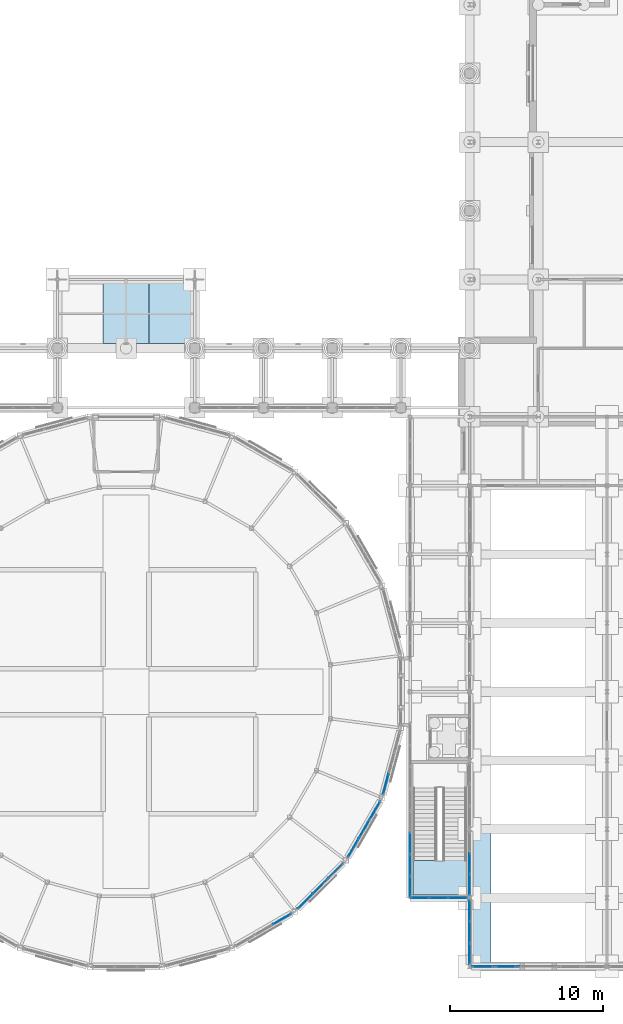
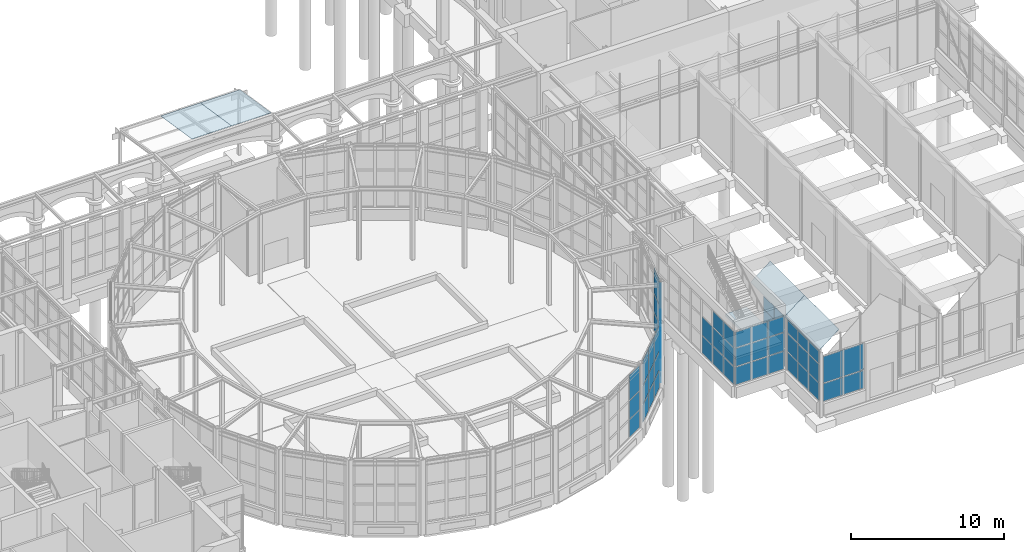
# One storey, part 61 of 106: 64 plates, 1 slab, 10 elements without a shape of their own.
"""IFC4 building model written with IfcOpenShell, lengths in metres."""

import ifcopenshell
import ifcopenshell.guid

model = None  # the IFC model being written
_history = None  # IfcOwnerHistory: only IFC2X3 demands one
_inside = {}  # id of a spatial element -> (the spatial element, [elements in it])
_under = {}  # id of a project, library or spatial element -> (it, [spatial elements below it])
_declared = {}  # id of a project -> (the project, [libraries it declares])
_typed = {}  # id of a type object -> (the type object, [elements of that type])
_made_of = {}  # id of a material, layer set ... -> (it, [elements and type objects made of it])


def new_model(schema):
    """Start an empty IFC model of exactly this schema.

    Asked for "IFC4X3", IfcOpenShell would pick the latest addendum, in which some entities
    have other attributes; the version numbers below select the first issue.
    IFC2X3 requires an IfcOwnerHistory on every rooted entity: one is made here for all.
    """
    global model, _history
    if schema == "IFC4X3":
        model = ifcopenshell.file(schema_version=(4, 3, 0, 0))
    else:
        model = ifcopenshell.file(schema=schema)
    _inside.clear()
    _under.clear()
    _declared.clear()
    _typed.clear()
    _made_of.clear()
    _history = None
    if model.schema == "IFC2X3":
        org = make("IfcOrganization", Name="unknown")
        user = make(
            "IfcPersonAndOrganization",
            ThePerson=make("IfcPerson", FamilyName="unknown"),
            TheOrganization=org,
        )
        app = make(
            "IfcApplication",
            ApplicationDeveloper=org,
            Version="unknown",
            ApplicationFullName="unknown",
            ApplicationIdentifier="unknown",
        )
        _history = make(
            "IfcOwnerHistory",
            OwningUser=user,
            OwningApplication=app,
            ChangeAction="ADDED",
            CreationDate=0,
        )
    return model


def make(cls, **values):
    """One entity of the class cls with the attributes given. An attribute that is None is left unset."""
    return model.create_entity(
        cls, **{name: value for name, value in values.items() if value is not None}
    )


def rooted(cls, **values):
    """An entity with a GlobalId (a new one), such as an element, a storey or a relation."""
    return make(cls, GlobalId=ifcopenshell.guid.new(), OwnerHistory=_history, **values)


def si_unit(unit_type, name, prefix=None):
    """IfcSIUnit, for example si_unit("LENGTHUNIT", "METRE", prefix="MILLI")."""
    return make("IfcSIUnit", UnitType=unit_type, Prefix=prefix, Name=name)


def assignment(units):
    """IfcUnitAssignment: the units of a project."""
    return None if units is None else make("IfcUnitAssignment", Units=units)


def point(xyz):
    """IfcCartesianPoint."""
    return None if xyz is None else make("IfcCartesianPoint", Coordinates=xyz)


def direction(xyz):
    """IfcDirection."""
    return None if xyz is None else make("IfcDirection", DirectionRatios=xyz)


def frame(location, z_axis=None, x_axis=None):
    """IfcAxis2Placement3D, a coordinate frame: its origin and axes. An axis left out is left unset."""
    return make(
        "IfcAxis2Placement3D",
        Location=point(location),
        Axis=direction(z_axis),
        RefDirection=direction(x_axis),
    )


def frame_2d(location, x_axis=None):
    """IfcAxis2Placement2D, a coordinate frame in the plane: its origin and x axis."""
    return make(
        "IfcAxis2Placement2D", Location=point(location), RefDirection=direction(x_axis)
    )


def origin():
    """The frame at (0, 0, 0) with its axes left unset."""
    return frame((0.0, 0.0, 0.0))


def origin_2d():
    """The frame at (0, 0) in the plane with its x axis left unset."""
    return frame_2d((0.0, 0.0))


def place(relative_to, where):
    """IfcLocalPlacement: puts the frame where relative to a parent placement (None: the world)."""
    return make(
        "IfcLocalPlacement", PlacementRelTo=relative_to, RelativePlacement=where
    )


def context(
    kind, dimensions, precision=None, world=None, true_north=None, identifier=None
):
    """IfcGeometricRepresentationContext, for example the 3D "Model" context."""
    return make(
        "IfcGeometricRepresentationContext",
        ContextIdentifier=identifier,
        ContextType=kind,
        CoordinateSpaceDimension=dimensions,
        Precision=precision,
        WorldCoordinateSystem=world,
        TrueNorth=true_north,
    )


def subcontext(parent, identifier, kind, view, scale=None):
    """IfcGeometricRepresentationSubContext, for example "Body" below "Model"."""
    return make(
        "IfcGeometricRepresentationSubContext",
        ContextIdentifier=identifier,
        ContextType=kind,
        ParentContext=parent,
        TargetScale=scale,
        TargetView=view,
    )


def project(units=None, contexts=None):
    """IfcProject with its units and contexts."""
    return rooted(
        "IfcProject",
        Name="project",
        RepresentationContexts=contexts,
        UnitsInContext=assignment(units),
    )


def spatial(cls, under=None, at=None, **own):
    """A site, building, storey or space (cls), placed at a placement, below another one or the project."""
    s = rooted(cls, ObjectPlacement=at, **own)
    if under is not None:
        _under.setdefault(under.id(), (under, []))[1].append(s)
    return s


def polyline(points):
    """IfcPolyline through the points."""
    return make("IfcPolyline", Points=[point(p) for p in points])


def profile(cls, at=None, kind="AREA", **sizes):
    """A parametric profile (cls). Its sizes go by their IFC names, for example OverallWidth=200.0."""
    return make(cls, ProfileType=kind, Position=at, **sizes)


def rectangle(**sizes):
    """IfcRectangleProfileDef."""
    return profile("IfcRectangleProfileDef", **sizes)


def outline(outer, holes=None, kind="AREA"):
    """IfcArbitraryClosedProfileDef: a profile drawn as a closed curve; with holes, ...WithVoids."""
    if holes is None:
        return make("IfcArbitraryClosedProfileDef", ProfileType=kind, OuterCurve=outer)
    return make(
        "IfcArbitraryProfileDefWithVoids",
        ProfileType=kind,
        OuterCurve=outer,
        InnerCurves=holes,
    )


def extrude(swept, where, along, depth):
    """IfcExtrudedAreaSolid: the profile swept, set in the frame where, extruded along a direction by depth."""
    return make(
        "IfcExtrudedAreaSolid",
        SweptArea=swept,
        Position=where,
        ExtrudedDirection=direction(along),
        Depth=depth,
    )


def shape(context_of_items, identifier, shape_type, items):
    """IfcShapeRepresentation: the items that make up one representation, for example the "Body"."""
    return make(
        "IfcShapeRepresentation",
        ContextOfItems=context_of_items,
        RepresentationIdentifier=identifier,
        RepresentationType=shape_type,
        Items=items,
    )


def material(Name=None, Category=None):
    """IfcMaterial."""
    return make("IfcMaterial", Name=Name, Category=Category)


def layer(
    of_material, thickness, ventilated=None, Name=None, Category=None, Priority=None
):
    """IfcMaterialLayer: one layer of a wall or slab, of a material (None: an air gap)."""
    return make(
        "IfcMaterialLayer",
        Material=of_material,
        LayerThickness=thickness,
        IsVentilated=ventilated,
        Name=Name,
        Category=Category,
        Priority=Priority,
    )


def layer_set(layers, Name=None):
    """IfcMaterialLayerSet."""
    return make("IfcMaterialLayerSet", MaterialLayers=layers, LayerSetName=Name)


def made_of(thing, what):
    """Note that an element or type object is made of a material, layer set ...; save() writes the relation."""
    if what is not None:
        _made_of.setdefault(what.id(), (what, []))[1].append(thing)
    return thing


def type_object(cls, material=None, **own):
    """A type object (cls), such as IfcWallType, which elements share."""
    return made_of(rooted(cls, **own), material)


def element(
    cls,
    number,
    at=None,
    inside=None,
    cuts=None,
    type_object=None,
    material=None,
    context=None,
    identifier="Body",
    shape_type=None,
    held_by="IfcProductDefinitionShape",
    body=None,
    shapes=None,
    **own,
):
    """One element of the class cls, such as IfcWall. Its Tag is "e" and its number.

    at: its placement. inside: the storey or other place that contains it. cuts: it is an
    opening in that element (IfcRelVoidsElement). A single representation is given by context,
    identifier, shape_type and body (its items); several are given by shapes. held_by: the class
    of the entity that holds the representations. save() writes the other relations.
    """
    e = rooted(cls, Tag="e%d" % number, ObjectPlacement=at, **own)
    if body is not None:
        shapes = [shape(context, identifier, shape_type, body)]
    if shapes is not None:
        e.Representation = make(held_by, Representations=shapes)
    if inside is not None:
        _inside.setdefault(inside.id(), (inside, []))[1].append(e)
    if cuts is not None:
        rooted(
            "IfcRelVoidsElement", RelatingBuildingElement=cuts, RelatedOpeningElement=e
        )
    if type_object is not None:
        _typed.setdefault(type_object.id(), (type_object, []))[1].append(e)
    return made_of(e, material)


def aggregate(whole, parts):
    """IfcRelAggregates: a whole, such as a stair, and the parts it consists of."""
    return rooted("IfcRelAggregates", RelatingObject=whole, RelatedObjects=parts)


def save(model, path):
    """Write the relations noted so far, then the file.

    IfcRelAggregates (storeys below a building ...), IfcRelContainedInSpatialStructure (elements
    in a storey), IfcRelDefinesByType, IfcRelAssociatesMaterial and IfcRelDeclares: one each for
    every whole, place, type object, material and project.
    """
    for whole, parts in _under.values():
        aggregate(whole, parts)
    for where, things in _inside.values():
        rooted(
            "IfcRelContainedInSpatialStructure",
            RelatedElements=things,
            RelatingStructure=where,
        )
    for kind, things in _typed.values():
        rooted("IfcRelDefinesByType", RelatedObjects=things, RelatingType=kind)
    for what, things in _made_of.values():
        rooted("IfcRelAssociatesMaterial", RelatedObjects=things, RelatingMaterial=what)
    for by, libraries in _declared.values():
        rooted("IfcRelDeclares", RelatingContext=by, RelatedDefinitions=libraries)
    model.write(path)


model = new_model("IFC4")

# Units and contexts
model_context = context("Model", 3, precision=1e-05, world=origin(), true_north=direction((0.0, 1.0)))
body_context = subcontext(model_context, "Body", "Model", "MODEL_VIEW")
ifc_project = project(units=[si_unit("LENGTHUNIT", "METRE"), si_unit("AREAUNIT", "SQUARE_METRE"), si_unit("VOLUMEUNIT", "CUBIC_METRE"), si_unit("PLANEANGLEUNIT", "RADIAN"), si_unit("MASSUNIT", "GRAM", prefix="KILO")], contexts=[model_context])

# Site, building, storey
site_placement = place(None, origin())
site = spatial("IfcSite", under=ifc_project, at=site_placement, CompositionType="ELEMENT")
building_placement = place(site_placement, origin())
building = spatial("IfcBuilding", under=site, at=building_placement, Name="Hortulan Conservatory and Botanical Research Centre", CompositionType="ELEMENT")
storey_placement = place(building_placement, origin())
storey = spatial("IfcBuildingStorey", under=building, at=storey_placement, Name="L00", CompositionType="ELEMENT", Elevation=0.0)

# Plates
ifc_material_1 = material(Name="Low-e laminated glass", Category="glass")
ifc_layer_1 = layer(ifc_material_1, 0.02099609375)
ifc_layer_set_1 = layer_set([ifc_layer_1], Name="Canopy Glazing Panel 21")
plate_type_1 = type_object("IfcPlateType", Name="Canopy Glazing Panel 21", PredefinedType="SHEET", material=ifc_layer_set_1)
for number, where, z_axis, x_axis, name in (
    (1, (52.5, 40.800048828125, 5.67431640625), (0.0, 0.153692962705, 0.988118653409), (1.0, 0.0, 0.0), "Canopy glazing panel"),
    (2, (55.5, 40.800048828125, 5.67431640625), (0.0, 0.153692962705, 0.988118653409), (1.0, 0.0, 0.0), "Canopy glazing panel"),
):
    element("IfcPlate", number, at=place(storey_placement, frame(where, z_axis=z_axis, x_axis=x_axis)), inside=storey, type_object=plate_type_1, Name=name, PredefinedType="SHEET", context=body_context, shape_type="SweptSolid", body=[
        extrude(outline(polyline([(0.0, 0.0), (3.0, 0.0), (3.0, 4.149151016915044), (0.0, 4.149151016915044), (0.0, 0.0)])), origin(), (0.0, 0.0, -1.0), 0.02099609375),
    ])
ifc_material_2 = material(Name="Verdigris copper-green zinc sheet on timber decking", Category="wood")
ifc_layer_2 = layer(ifc_material_2, 0.011962890625)
ifc_layer_set_2 = layer_set([ifc_layer_2], Name="Climate House End Bay Zinc Roof Panel 12")
plate_type_2 = type_object("IfcPlateType", Name="Climate House End Bay Zinc Roof Panel 12", PredefinedType="SHEET", material=ifc_layer_set_2)
plate_1_placement = place(storey_placement, frame((76.39794921875, 0.0, 5.131103515625), z_axis=(-0.613967295793, 0.0, 0.789331463769), x_axis=(0.789331463769, 0.0, 0.613967295793)))
element("IfcPlate", 3, at=plate_1_placement, inside=storey, type_object=plate_type_2, Name="Climate house end bay roof panel", PredefinedType="SHEET", context=body_context, shape_type="SweptSolid", body=[
    extrude(outline(polyline([(0.0, 0.0), (1.9003423388659808, 0.0), (1.9003423388659808, 4.5), (0.0, 4.5), (0.0, 0.0)])), origin(), (0.0, 0.0, -1.0), 0.011962890625),
])
ifc_layer_3 = layer(ifc_material_1, 0.011962890625)
ifc_layer_set_3 = layer_set([ifc_layer_3], Name="Glasshouse Roof Glazing Panel 12")
plate_type_3 = type_object("IfcPlateType", Name="Glasshouse Roof Glazing Panel 12", PredefinedType="SHEET", material=ifc_layer_set_3)
plate_2_placement = place(storey_placement, frame((76.39794921875, 4.5, 5.131103515625), z_axis=(-0.613967295793, 0.0, 0.789331463769), x_axis=(0.789331463769, 0.0, 0.613967295793)))
element("IfcPlate", 4, at=plate_2_placement, inside=storey, type_object=plate_type_3, Name="Glasshouse roof panel", PredefinedType="SHEET", context=body_context, shape_type="SweptSolid", body=[
    extrude(outline(polyline([(0.0, 0.0), (1.9003423388659808, 0.0), (1.9003423388659808, 4.5), (0.0, 4.5), (0.0, 0.0)])), origin(), (0.0, 0.0, -1.0), 0.011962890625),
])

# Curtain wall, plates
ifc_material_3 = material(Name="Bronze-finished aluminium", Category="aluminium")
ifc_layer_4 = layer(ifc_material_3, 0.10009765625)
ifc_layer_set_4 = layer_set([ifc_layer_4], Name="Bronze-framed Curtain Wall 1500 module")
curtain_wall_type = type_object("IfcCurtainWallType", Name="Bronze-framed Curtain Wall 1500 module", PredefinedType="NOTDEFINED", material=ifc_layer_set_4)
curtain_wall_1_placement = place(storey_placement, origin())
curtain_wall_1 = element("IfcCurtainWall", 5, at=curtain_wall_1_placement, inside=storey, type_object=curtain_wall_type, Name="Curtain wall", PredefinedType="NOTDEFINED")
ifc_layer_5 = layer(ifc_material_1, 0.028076171875)
ifc_layer_set_5 = layer_set([ifc_layer_5], Name="Laminated Glass Panel 28")
plate_type_4 = type_object("IfcPlateType", Name="Laminated Glass Panel 28", PredefinedType="CURTAIN_PANEL", material=ifc_layer_set_5)
plate_3_placement = place(storey_placement, frame((64.217041015625, 3.114013671875, 0.9599609375), z_axis=(0.0, 0.0, 1.0), x_axis=(-0.866036280655, -0.499981160235, 0.0)))
plate_3 = element("IfcPlate", 6, at=plate_3_placement, type_object=plate_type_4, Name="CW1 panel 1.1", PredefinedType="CURTAIN_PANEL", context=body_context, shape_type="SweptSolid", body=[
    extrude(rectangle(XDim=1.330078125, YDim=0.028076171875, at=origin_2d()), origin(), (0.0, 0.0, 1.0), 1.409912109375),
])
plate_4_placement = place(storey_placement, frame((64.217041015625, 3.114013671875, 2.429931640625), z_axis=(0.0, 0.0, 1.0), x_axis=(-0.866036280655, -0.499981160235, 0.0)))
plate_4 = element("IfcPlate", 7, at=plate_4_placement, type_object=plate_type_4, Name="CW1 panel 1.2", PredefinedType="CURTAIN_PANEL", context=body_context, shape_type="SweptSolid", body=[
    extrude(rectangle(XDim=1.330078125, YDim=0.028076171875, at=origin_2d()), origin(), (0.0, 0.0, 1.0), 1.43994140625),
])
plate_5_placement = place(storey_placement, frame((64.217041015625, 3.114013671875, 3.93017578125), z_axis=(0.0, 0.0, 1.0), x_axis=(-0.866036280655, -0.499981160235, 0.0)))
plate_5 = element("IfcPlate", 8, at=plate_5_placement, type_object=plate_type_4, Name="CW1 panel 1.3", PredefinedType="CURTAIN_PANEL", context=body_context, shape_type="SweptSolid", body=[
    extrude(rectangle(XDim=1.330078125, YDim=0.028076171875, at=origin_2d()), origin(), (0.0, 0.0, 1.0), 2.010009765625),
])
aggregate(curtain_wall_1, [plate_3, plate_4, plate_5])

curtain_wall_2_placement = place(storey_placement, origin())
curtain_wall_2 = element("IfcCurtainWall", 9, at=curtain_wall_2_placement, inside=storey, type_object=curtain_wall_type, Name="Curtain wall", PredefinedType="NOTDEFINED")
plate_6_placement = place(storey_placement, frame((67.718017578125, 6.261962890625, 0.9599609375), z_axis=(0.0, 0.0, 1.0), x_axis=(-0.707106781187, -0.707106781187, 0.0)))
plate_6 = element("IfcPlate", 10, at=plate_6_placement, type_object=plate_type_4, Name="CW1 panel 1.1", PredefinedType="CURTAIN_PANEL", context=body_context, shape_type="SweptSolid", body=[
    extrude(rectangle(XDim=1.3251953125, YDim=0.028076171875, at=origin_2d()), origin(), (0.0, 0.0, 1.0), 1.409912109375),
])
plate_7_placement = place(storey_placement, frame((67.718017578125, 6.261962890625, 2.429931640625), z_axis=(0.0, 0.0, 1.0), x_axis=(-0.707106781187, -0.707106781187, 0.0)))
plate_7 = element("IfcPlate", 11, at=plate_7_placement, type_object=plate_type_4, Name="CW1 panel 1.2", PredefinedType="CURTAIN_PANEL", context=body_context, shape_type="SweptSolid", body=[
    extrude(rectangle(XDim=1.3251953125, YDim=0.028076171875, at=origin_2d()), origin(), (0.0, 0.0, 1.0), 1.43994140625),
])
plate_8_placement = place(storey_placement, frame((67.718017578125, 6.261962890625, 3.93017578125), z_axis=(0.0, 0.0, 1.0), x_axis=(-0.707106781187, -0.707106781187, 0.0)))
plate_8 = element("IfcPlate", 12, at=plate_8_placement, type_object=plate_type_4, Name="CW1 panel 1.3", PredefinedType="CURTAIN_PANEL", context=body_context, shape_type="SweptSolid", body=[
    extrude(rectangle(XDim=1.3251953125, YDim=0.028076171875, at=origin_2d()), origin(), (0.0, 0.0, 1.0), 2.010009765625),
])
plate_9_placement = place(storey_placement, frame((66.72802734375, 5.27197265625, 0.9599609375), z_axis=(0.0, 0.0, 1.0), x_axis=(-0.707106781187, -0.707106781187, 0.0)))
plate_9 = element("IfcPlate", 13, at=plate_9_placement, type_object=plate_type_4, Name="CW1 panel 2.1", PredefinedType="CURTAIN_PANEL", context=body_context, shape_type="SweptSolid", body=[
    extrude(rectangle(XDim=1.355224609375, YDim=0.028076171875, at=origin_2d()), origin(), (0.0, 0.0, 1.0), 1.409912109375),
])
plate_10_placement = place(storey_placement, frame((66.72802734375, 5.27197265625, 2.429931640625), z_axis=(0.0, 0.0, 1.0), x_axis=(-0.707106781187, -0.707106781187, 0.0)))
plate_10 = element("IfcPlate", 14, at=plate_10_placement, type_object=plate_type_4, Name="CW1 panel 2.2", PredefinedType="CURTAIN_PANEL", context=body_context, shape_type="SweptSolid", body=[
    extrude(rectangle(XDim=1.355224609375, YDim=0.028076171875, at=origin_2d()), origin(), (0.0, 0.0, 1.0), 1.43994140625),
])
plate_11_placement = place(storey_placement, frame((66.72802734375, 5.27197265625, 3.93017578125), z_axis=(0.0, 0.0, 1.0), x_axis=(-0.707106781187, -0.707106781187, 0.0)))
plate_11 = element("IfcPlate", 15, at=plate_11_placement, type_object=plate_type_4, Name="CW1 panel 2.3", PredefinedType="CURTAIN_PANEL", context=body_context, shape_type="SweptSolid", body=[
    extrude(rectangle(XDim=1.355224609375, YDim=0.028076171875, at=origin_2d()), origin(), (0.0, 0.0, 1.0), 2.010009765625),
])
plate_12_placement = place(storey_placement, frame((65.738037109375, 4.281982421875, 0.9599609375), z_axis=(0.0, 0.0, 1.0), x_axis=(-0.707106781187, -0.707106781187, 0.0)))
plate_12 = element("IfcPlate", 16, at=plate_12_placement, type_object=plate_type_4, Name="CW1 panel 3.1", PredefinedType="CURTAIN_PANEL", context=body_context, shape_type="SweptSolid", body=[
    extrude(rectangle(XDim=1.3251953125, YDim=0.028076171875, at=origin_2d()), origin(), (0.0, 0.0, 1.0), 1.409912109375),
])
plate_13_placement = place(storey_placement, frame((65.738037109375, 4.281982421875, 2.429931640625), z_axis=(0.0, 0.0, 1.0), x_axis=(-0.707106781187, -0.707106781187, 0.0)))
plate_13 = element("IfcPlate", 17, at=plate_13_placement, type_object=plate_type_4, Name="CW1 panel 3.2", PredefinedType="CURTAIN_PANEL", context=body_context, shape_type="SweptSolid", body=[
    extrude(rectangle(XDim=1.3251953125, YDim=0.028076171875, at=origin_2d()), origin(), (0.0, 0.0, 1.0), 1.43994140625),
])
plate_14_placement = place(storey_placement, frame((65.738037109375, 4.281982421875, 3.93017578125), z_axis=(0.0, 0.0, 1.0), x_axis=(-0.707106781187, -0.707106781187, 0.0)))
plate_14 = element("IfcPlate", 18, at=plate_14_placement, type_object=plate_type_4, Name="CW1 panel 3.3", PredefinedType="CURTAIN_PANEL", context=body_context, shape_type="SweptSolid", body=[
    extrude(rectangle(XDim=1.3251953125, YDim=0.028076171875, at=origin_2d()), origin(), (0.0, 0.0, 1.0), 2.010009765625),
])
aggregate(curtain_wall_2, [plate_6, plate_7, plate_8, plate_9, plate_10, plate_11, plate_12, plate_13, plate_14])

curtain_wall_3_placement = place(storey_placement, origin())
curtain_wall_3 = element("IfcCurtainWall", 19, at=curtain_wall_3_placement, inside=storey, type_object=curtain_wall_type, Name="Curtain wall", PredefinedType="NOTDEFINED")
plate_15_placement = place(storey_placement, frame((70.291015625, 10.217041015625, 0.9599609375), z_axis=(0.0, 0.0, 1.0), x_axis=(-0.499981160235, -0.866036280655, 0.0)))
plate_15 = element("IfcPlate", 20, at=plate_15_placement, type_object=plate_type_4, Name="CW1 panel 1.1", PredefinedType="CURTAIN_PANEL", context=body_context, shape_type="SweptSolid", body=[
    extrude(rectangle(XDim=1.330078125, YDim=0.028076171875, at=origin_2d()), origin(), (0.0, 0.0, 1.0), 1.409912109375),
])
plate_16_placement = place(storey_placement, frame((70.291015625, 10.217041015625, 2.429931640625), z_axis=(0.0, 0.0, 1.0), x_axis=(-0.499981160235, -0.866036280655, 0.0)))
plate_16 = element("IfcPlate", 21, at=plate_16_placement, type_object=plate_type_4, Name="CW1 panel 1.2", PredefinedType="CURTAIN_PANEL", context=body_context, shape_type="SweptSolid", body=[
    extrude(rectangle(XDim=1.330078125, YDim=0.028076171875, at=origin_2d()), origin(), (0.0, 0.0, 1.0), 1.43994140625),
])
plate_17_placement = place(storey_placement, frame((70.291015625, 10.217041015625, 3.93017578125), z_axis=(0.0, 0.0, 1.0), x_axis=(-0.499981160235, -0.866036280655, 0.0)))
plate_17 = element("IfcPlate", 22, at=plate_17_placement, type_object=plate_type_4, Name="CW1 panel 1.3", PredefinedType="CURTAIN_PANEL", context=body_context, shape_type="SweptSolid", body=[
    extrude(rectangle(XDim=1.330078125, YDim=0.028076171875, at=origin_2d()), origin(), (0.0, 0.0, 1.0), 2.010009765625),
])
plate_18_placement = place(storey_placement, frame((69.58837890625, 9.0, 0.9599609375), z_axis=(0.0, 0.0, 1.0), x_axis=(-0.499981160235, -0.866036280655, 0.0)))
plate_18 = element("IfcPlate", 23, at=plate_18_placement, type_object=plate_type_4, Name="CW1 panel 2.1", PredefinedType="CURTAIN_PANEL", context=body_context, shape_type="SweptSolid", body=[
    extrude(rectangle(XDim=1.360107421875, YDim=0.028076171875, at=origin_2d()), origin(), (0.0, 0.0, 1.0), 1.409912109375),
])
plate_19_placement = place(storey_placement, frame((69.58837890625, 9.0, 2.429931640625), z_axis=(0.0, 0.0, 1.0), x_axis=(-0.499981160235, -0.866036280655, 0.0)))
plate_19 = element("IfcPlate", 24, at=plate_19_placement, type_object=plate_type_4, Name="CW1 panel 2.2", PredefinedType="CURTAIN_PANEL", context=body_context, shape_type="SweptSolid", body=[
    extrude(rectangle(XDim=1.360107421875, YDim=0.028076171875, at=origin_2d()), origin(), (0.0, 0.0, 1.0), 1.43994140625),
])
plate_20_placement = place(storey_placement, frame((69.58837890625, 9.0, 3.93017578125), z_axis=(0.0, 0.0, 1.0), x_axis=(-0.499981160235, -0.866036280655, 0.0)))
plate_20 = element("IfcPlate", 25, at=plate_20_placement, type_object=plate_type_4, Name="CW1 panel 2.3", PredefinedType="CURTAIN_PANEL", context=body_context, shape_type="SweptSolid", body=[
    extrude(rectangle(XDim=1.360107421875, YDim=0.028076171875, at=origin_2d()), origin(), (0.0, 0.0, 1.0), 2.010009765625),
])
plate_21_placement = place(storey_placement, frame((68.885986328125, 7.782958984375, 0.9599609375), z_axis=(0.0, 0.0, 1.0), x_axis=(-0.499981160235, -0.866036280655, 0.0)))
plate_21 = element("IfcPlate", 26, at=plate_21_placement, type_object=plate_type_4, Name="CW1 panel 3.1", PredefinedType="CURTAIN_PANEL", context=body_context, shape_type="SweptSolid", body=[
    extrude(rectangle(XDim=1.330078125, YDim=0.028076171875, at=origin_2d()), origin(), (0.0, 0.0, 1.0), 1.409912109375),
])
plate_22_placement = place(storey_placement, frame((68.885986328125, 7.782958984375, 2.429931640625), z_axis=(0.0, 0.0, 1.0), x_axis=(-0.499981160235, -0.866036280655, 0.0)))
plate_22 = element("IfcPlate", 27, at=plate_22_placement, type_object=plate_type_4, Name="CW1 panel 3.2", PredefinedType="CURTAIN_PANEL", context=body_context, shape_type="SweptSolid", body=[
    extrude(rectangle(XDim=1.330078125, YDim=0.028076171875, at=origin_2d()), origin(), (0.0, 0.0, 1.0), 1.43994140625),
])
plate_23_placement = place(storey_placement, frame((68.885986328125, 7.782958984375, 3.93017578125), z_axis=(0.0, 0.0, 1.0), x_axis=(-0.499981160235, -0.866036280655, 0.0)))
plate_23 = element("IfcPlate", 28, at=plate_23_placement, type_object=plate_type_4, Name="CW1 panel 3.3", PredefinedType="CURTAIN_PANEL", context=body_context, shape_type="SweptSolid", body=[
    extrude(rectangle(XDim=1.330078125, YDim=0.028076171875, at=origin_2d()), origin(), (0.0, 0.0, 1.0), 2.010009765625),
])
aggregate(curtain_wall_3, [plate_15, plate_16, plate_17, plate_18, plate_19, plate_20, plate_21, plate_22, plate_23])

curtain_wall_4_placement = place(storey_placement, origin())
curtain_wall_4 = element("IfcCurtainWall", 29, at=curtain_wall_4_placement, inside=storey, type_object=curtain_wall_type, Name="Curtain wall", PredefinedType="NOTDEFINED")
plate_24_placement = place(storey_placement, frame((71.0185546875, 11.967529296875, 0.9599609375), z_axis=(0.0, 0.0, 1.0), x_axis=(-0.258831936284, -0.965922372015, 0.0)))
plate_24 = element("IfcPlate", 30, at=plate_24_placement, type_object=plate_type_4, Name="CW1 panel 3.1", PredefinedType="CURTAIN_PANEL", context=body_context, shape_type="SweptSolid", body=[
    extrude(rectangle(XDim=1.346923828125, YDim=0.028076171875, at=origin_2d()), origin(), (0.0, 0.0, 1.0), 1.409912109375),
])
plate_25_placement = place(storey_placement, frame((71.0185546875, 11.967529296875, 2.429931640625), z_axis=(0.0, 0.0, 1.0), x_axis=(-0.258831936284, -0.965922372015, 0.0)))
plate_25 = element("IfcPlate", 31, at=plate_25_placement, type_object=plate_type_4, Name="CW1 panel 3.2", PredefinedType="CURTAIN_PANEL", context=body_context, shape_type="SweptSolid", body=[
    extrude(rectangle(XDim=1.346923828125, YDim=0.028076171875, at=origin_2d()), origin(), (0.0, 0.0, 1.0), 1.43994140625),
])
plate_26_placement = place(storey_placement, frame((71.0185546875, 11.967529296875, 3.93017578125), z_axis=(0.0, 0.0, 1.0), x_axis=(-0.258831936284, -0.965922372015, 0.0)))
plate_26 = element("IfcPlate", 32, at=plate_26_placement, type_object=plate_type_4, Name="CW1 panel 3.3", PredefinedType="CURTAIN_PANEL", context=body_context, shape_type="SweptSolid", body=[
    extrude(rectangle(XDim=1.346923828125, YDim=0.028076171875, at=origin_2d()), origin(), (0.0, 0.0, 1.0), 2.010009765625),
])
aggregate(curtain_wall_4, [plate_24, plate_25, plate_26])

curtain_wall_5_placement = place(storey_placement, origin())
curtain_wall_5 = element("IfcCurtainWall", 33, at=curtain_wall_5_placement, inside=storey, type_object=curtain_wall_type, Name="Curtain wall", PredefinedType="NOTDEFINED")
plate_27_placement = place(storey_placement, frame((75.729248046875, 4.5, 0.9599609375), z_axis=(0.0, 0.0, 1.0), x_axis=(-1.0, 0.0, 0.0)))
plate_27 = element("IfcPlate", 34, at=plate_27_placement, type_object=plate_type_4, Name="CW1 panel 1.1", PredefinedType="CURTAIN_PANEL", context=body_context, shape_type="SweptSolid", body=[
    extrude(rectangle(XDim=1.167724609375, YDim=0.028076171875, at=origin_2d()), origin(), (0.0, 0.0, 1.0), 1.409912109375),
])
plate_28_placement = place(storey_placement, frame((75.729248046875, 4.5, 2.429931640625), z_axis=(0.0, 0.0, 1.0), x_axis=(-1.0, 0.0, 0.0)))
plate_28 = element("IfcPlate", 35, at=plate_28_placement, type_object=plate_type_4, Name="CW1 panel 1.2", PredefinedType="CURTAIN_PANEL", context=body_context, shape_type="SweptSolid", body=[
    extrude(rectangle(XDim=1.167724609375, YDim=0.028076171875, at=origin_2d()), origin(), (0.0, 0.0, 1.0), 1.43994140625),
])
plate_29_placement = place(storey_placement, frame((75.729248046875, 4.5, 3.929931640625), z_axis=(0.0, 0.0, 1.0), x_axis=(-1.0, 0.0, 0.0)))
plate_29 = element("IfcPlate", 36, at=plate_29_placement, type_object=plate_type_4, Name="CW1 panel 1.3", PredefinedType="CURTAIN_PANEL", context=body_context, shape_type="SweptSolid", body=[
    extrude(rectangle(XDim=1.167724609375, YDim=0.028076171875, at=origin_2d()), origin(), (0.0, 0.0, 1.0), 1.25),
])
plate_30_placement = place(storey_placement, frame((74.486572265625, 4.5, 0.9599609375), z_axis=(0.0, 0.0, 1.0), x_axis=(-1.0, 0.0, 0.0)))
plate_30 = element("IfcPlate", 37, at=plate_30_placement, type_object=plate_type_4, Name="CW1 panel 2.1", PredefinedType="CURTAIN_PANEL", context=body_context, shape_type="SweptSolid", body=[
    extrude(rectangle(XDim=1.19775390625, YDim=0.028076171875, at=origin_2d()), origin(), (0.0, 0.0, 1.0), 1.409912109375),
])
plate_31_placement = place(storey_placement, frame((74.486572265625, 4.5, 2.429931640625), z_axis=(0.0, 0.0, 1.0), x_axis=(-1.0, 0.0, 0.0)))
plate_31 = element("IfcPlate", 38, at=plate_31_placement, type_object=plate_type_4, Name="CW1 panel 2.2", PredefinedType="CURTAIN_PANEL", context=body_context, shape_type="SweptSolid", body=[
    extrude(rectangle(XDim=1.19775390625, YDim=0.028076171875, at=origin_2d()), origin(), (0.0, 0.0, 1.0), 1.43994140625),
])
plate_32_placement = place(storey_placement, frame((74.486572265625, 4.5, 3.929931640625), z_axis=(0.0, 0.0, 1.0), x_axis=(-1.0, 0.0, 0.0)))
plate_32 = element("IfcPlate", 39, at=plate_32_placement, type_object=plate_type_4, Name="CW1 panel 2.3", PredefinedType="CURTAIN_PANEL", context=body_context, shape_type="SweptSolid", body=[
    extrude(rectangle(XDim=1.19775390625, YDim=0.028076171875, at=origin_2d()), origin(), (0.0, 0.0, 1.0), 1.25),
])
plate_33_placement = place(storey_placement, frame((73.243896484375, 4.5, 0.9599609375), z_axis=(0.0, 0.0, 1.0), x_axis=(-1.0, 0.0, 0.0)))
plate_33 = element("IfcPlate", 40, at=plate_33_placement, type_object=plate_type_4, Name="CW1 panel 3.1", PredefinedType="CURTAIN_PANEL", context=body_context, shape_type="SweptSolid", body=[
    extrude(rectangle(XDim=1.167724609375, YDim=0.028076171875, at=origin_2d()), origin(), (0.0, 0.0, 1.0), 1.409912109375),
])
plate_34_placement = place(storey_placement, frame((73.243896484375, 4.5, 2.429931640625), z_axis=(0.0, 0.0, 1.0), x_axis=(-1.0, 0.0, 0.0)))
plate_34 = element("IfcPlate", 41, at=plate_34_placement, type_object=plate_type_4, Name="CW1 panel 3.2", PredefinedType="CURTAIN_PANEL", context=body_context, shape_type="SweptSolid", body=[
    extrude(rectangle(XDim=1.167724609375, YDim=0.028076171875, at=origin_2d()), origin(), (0.0, 0.0, 1.0), 1.43994140625),
])
plate_35_placement = place(storey_placement, frame((73.243896484375, 4.5, 3.929931640625), z_axis=(0.0, 0.0, 1.0), x_axis=(-1.0, 0.0, 0.0)))
plate_35 = element("IfcPlate", 42, at=plate_35_placement, type_object=plate_type_4, Name="CW1 panel 3.3", PredefinedType="CURTAIN_PANEL", context=body_context, shape_type="SweptSolid", body=[
    extrude(rectangle(XDim=1.167724609375, YDim=0.028076171875, at=origin_2d()), origin(), (0.0, 0.0, 1.0), 1.25),
])
aggregate(curtain_wall_5, [plate_27, plate_28, plate_29, plate_30, plate_31, plate_32, plate_33, plate_34, plate_35])

curtain_wall_6_placement = place(storey_placement, origin())
curtain_wall_6 = element("IfcCurtainWall", 43, at=curtain_wall_6_placement, inside=storey, type_object=curtain_wall_type, Name="Curtain wall", PredefinedType="NOTDEFINED")
plate_36_placement = place(storey_placement, frame((72.60009765625, 5.2294921875, 0.9599609375), z_axis=(0.0, 0.0, 1.0), x_axis=(0.0, 1.0, 0.0)))
plate_36 = element("IfcPlate", 44, at=plate_36_placement, type_object=plate_type_4, Name="CW1 panel 1.1", PredefinedType="CURTAIN_PANEL", context=body_context, shape_type="SweptSolid", body=[
    extrude(rectangle(XDim=1.3388671875, YDim=0.028076171875, at=origin_2d()), origin(), (0.0, 0.0, 1.0), 1.409912109375),
])
plate_37_placement = place(storey_placement, frame((72.60009765625, 5.2294921875, 2.429931640625), z_axis=(0.0, 0.0, 1.0), x_axis=(0.0, 1.0, 0.0)))
plate_37 = element("IfcPlate", 45, at=plate_37_placement, type_object=plate_type_4, Name="CW1 panel 1.2", PredefinedType="CURTAIN_PANEL", context=body_context, shape_type="SweptSolid", body=[
    extrude(rectangle(XDim=1.3388671875, YDim=0.028076171875, at=origin_2d()), origin(), (0.0, 0.0, 1.0), 1.43994140625),
])
plate_38_placement = place(storey_placement, frame((72.60009765625, 5.2294921875, 3.929931640625), z_axis=(0.0, 0.0, 1.0), x_axis=(0.0, 1.0, 0.0)))
plate_38 = element("IfcPlate", 46, at=plate_38_placement, type_object=plate_type_4, Name="CW1 panel 1.3", PredefinedType="CURTAIN_PANEL", context=body_context, shape_type="SweptSolid", body=[
    extrude(rectangle(XDim=1.3388671875, YDim=0.028076171875, at=origin_2d()), origin(), (0.0, 0.0, 1.0), 1.25),
])
plate_39_placement = place(storey_placement, frame((72.60009765625, 6.64306640625, 0.9599609375), z_axis=(0.0, 0.0, 1.0), x_axis=(0.0, 1.0, 0.0)))
plate_39 = element("IfcPlate", 47, at=plate_39_placement, type_object=plate_type_4, Name="CW1 panel 2.1", PredefinedType="CURTAIN_PANEL", context=body_context, shape_type="SweptSolid", body=[
    extrude(rectangle(XDim=1.368896484375, YDim=0.028076171875, at=origin_2d()), origin(), (0.0, 0.0, 1.0), 1.409912109375),
])
plate_40_placement = place(storey_placement, frame((72.60009765625, 6.64306640625, 2.429931640625), z_axis=(0.0, 0.0, 1.0), x_axis=(0.0, 1.0, 0.0)))
plate_40 = element("IfcPlate", 48, at=plate_40_placement, type_object=plate_type_4, Name="CW1 panel 2.2", PredefinedType="CURTAIN_PANEL", context=body_context, shape_type="SweptSolid", body=[
    extrude(rectangle(XDim=1.368896484375, YDim=0.028076171875, at=origin_2d()), origin(), (0.0, 0.0, 1.0), 1.43994140625),
])
plate_41_placement = place(storey_placement, frame((72.60009765625, 6.64306640625, 3.929931640625), z_axis=(0.0, 0.0, 1.0), x_axis=(0.0, 1.0, 0.0)))
plate_41 = element("IfcPlate", 49, at=plate_41_placement, type_object=plate_type_4, Name="CW1 panel 2.3", PredefinedType="CURTAIN_PANEL", context=body_context, shape_type="SweptSolid", body=[
    extrude(rectangle(XDim=1.368896484375, YDim=0.028076171875, at=origin_2d()), origin(), (0.0, 0.0, 1.0), 1.25),
])
plate_42_placement = place(storey_placement, frame((72.60009765625, 8.072021484375, 0.9599609375), z_axis=(0.0, 0.0, 1.0), x_axis=(0.0, 1.0, 0.0)))
plate_42 = element("IfcPlate", 50, at=plate_42_placement, type_object=plate_type_4, Name="CW1 panel 3.1", PredefinedType="CURTAIN_PANEL", context=body_context, shape_type="SweptSolid", body=[
    extrude(rectangle(XDim=1.368896484375, YDim=0.028076171875, at=origin_2d()), origin(), (0.0, 0.0, 1.0), 1.409912109375),
])
plate_43_placement = place(storey_placement, frame((72.60009765625, 8.072021484375, 2.429931640625), z_axis=(0.0, 0.0, 1.0), x_axis=(0.0, 1.0, 0.0)))
plate_43 = element("IfcPlate", 51, at=plate_43_placement, type_object=plate_type_4, Name="CW1 panel 3.2", PredefinedType="CURTAIN_PANEL", context=body_context, shape_type="SweptSolid", body=[
    extrude(rectangle(XDim=1.368896484375, YDim=0.028076171875, at=origin_2d()), origin(), (0.0, 0.0, 1.0), 1.43994140625),
])
aggregate(curtain_wall_6, [plate_36, plate_37, plate_38, plate_39, plate_40, plate_41, plate_42, plate_43])

curtain_wall_7_placement = place(storey_placement, origin())
curtain_wall_7 = element("IfcCurtainWall", 52, at=curtain_wall_7_placement, inside=storey, type_object=curtain_wall_type, Name="Curtain wall", PredefinedType="NOTDEFINED")
plate_44_placement = place(storey_placement, frame((78.99169921875, 0.0, 0.9599609375), z_axis=(0.0, 0.0, 1.0), x_axis=(-1.0, 0.0, 0.0)))
plate_44 = element("IfcPlate", 53, at=plate_44_placement, type_object=plate_type_4, Name="CW1 panel 1.1", PredefinedType="CURTAIN_PANEL", context=body_context, shape_type="SweptSolid", body=[
    extrude(rectangle(XDim=1.49658203125, YDim=0.028076171875, at=origin_2d()), origin(), (0.0, 0.0, 1.0), 1.409912109375),
])
plate_45_placement = place(storey_placement, frame((78.99169921875, 0.0, 2.43017578125), z_axis=(0.0, 0.0, 1.0), x_axis=(-1.0, 0.0, 0.0)))
plate_45 = element("IfcPlate", 54, at=plate_45_placement, type_object=plate_type_4, Name="CW1 panel 1.2", PredefinedType="CURTAIN_PANEL", context=body_context, shape_type="SweptSolid", body=[
    extrude(rectangle(XDim=1.49658203125, YDim=0.028076171875, at=origin_2d()), origin(), (0.0, 0.0, 1.0), 2.110107421875),
])
plate_46_placement = place(storey_placement, frame((77.435302734375, 0.0, 0.9599609375), z_axis=(0.0, 0.0, 1.0), x_axis=(-1.0, 0.0, 0.0)))
plate_46 = element("IfcPlate", 55, at=plate_46_placement, type_object=plate_type_4, Name="CW1 panel 2.1", PredefinedType="CURTAIN_PANEL", context=body_context, shape_type="SweptSolid", body=[
    extrude(rectangle(XDim=1.49658203125, YDim=0.028076171875, at=origin_2d()), origin(), (0.0, 0.0, 1.0), 1.409912109375),
])
plate_47_placement = place(storey_placement, frame((77.435302734375, 0.0, 2.43017578125), z_axis=(0.0, 0.0, 1.0), x_axis=(-1.0, 0.0, 0.0)))
plate_47 = element("IfcPlate", 56, at=plate_47_placement, type_object=plate_type_4, Name="CW1 panel 2.2", PredefinedType="CURTAIN_PANEL", context=body_context, shape_type="SweptSolid", body=[
    extrude(rectangle(XDim=1.49658203125, YDim=0.028076171875, at=origin_2d()), origin(), (0.0, 0.0, 1.0), 2.110107421875),
])
aggregate(curtain_wall_7, [plate_44, plate_45, plate_46, plate_47])

curtain_wall_8_placement = place(storey_placement, origin())
curtain_wall_8 = element("IfcCurtainWall", 57, at=curtain_wall_8_placement, inside=storey, type_object=curtain_wall_type, Name="Curtain wall", PredefinedType="NOTDEFINED")
plate_48_placement = place(storey_placement, frame((76.5, 6.75, 0.9599609375), z_axis=(0.0, 0.0, 1.0), x_axis=(0.0, -1.0, 0.0)))
plate_48 = element("IfcPlate", 58, at=plate_48_placement, type_object=plate_type_4, Name="CW1 panel 2.1", PredefinedType="CURTAIN_PANEL", context=body_context, shape_type="SweptSolid", body=[
    extrude(rectangle(XDim=1.355224609375, YDim=0.028076171875, at=origin_2d()), origin(), (0.0, 0.0, 1.0), 1.409912109375),
])
plate_49_placement = place(storey_placement, frame((76.5, 6.75, 2.429931640625), z_axis=(0.0, 0.0, 1.0), x_axis=(0.0, -1.0, 0.0)))
plate_49 = element("IfcPlate", 59, at=plate_49_placement, type_object=plate_type_4, Name="CW1 panel 2.2", PredefinedType="CURTAIN_PANEL", context=body_context, shape_type="SweptSolid", body=[
    extrude(rectangle(XDim=1.355224609375, YDim=0.028076171875, at=origin_2d()), origin(), (0.0, 0.0, 1.0), 1.43994140625),
])
plate_50_placement = place(storey_placement, frame((76.5, 6.75, 3.93017578125), z_axis=(0.0, 0.0, 1.0), x_axis=(0.0, -1.0, 0.0)))
plate_50 = element("IfcPlate", 60, at=plate_50_placement, type_object=plate_type_4, Name="CW1 panel 2.3", PredefinedType="CURTAIN_PANEL", context=body_context, shape_type="SweptSolid", body=[
    extrude(rectangle(XDim=1.355224609375, YDim=0.028076171875, at=origin_2d()), origin(), (0.0, 0.0, 1.0), 1.010009765625),
])
plate_51_placement = place(storey_placement, frame((76.5, 5.349609375, 0.9599609375), z_axis=(0.0, 0.0, 1.0), x_axis=(0.0, -1.0, 0.0)))
plate_51 = element("IfcPlate", 61, at=plate_51_placement, type_object=plate_type_4, Name="CW1 panel 3.1", PredefinedType="CURTAIN_PANEL", context=body_context, shape_type="SweptSolid", body=[
    extrude(rectangle(XDim=1.325439453125, YDim=0.028076171875, at=origin_2d()), origin(), (0.0, 0.0, 1.0), 1.409912109375),
])
plate_52_placement = place(storey_placement, frame((76.5, 5.349609375, 2.429931640625), z_axis=(0.0, 0.0, 1.0), x_axis=(0.0, -1.0, 0.0)))
plate_52 = element("IfcPlate", 62, at=plate_52_placement, type_object=plate_type_4, Name="CW1 panel 3.2", PredefinedType="CURTAIN_PANEL", context=body_context, shape_type="SweptSolid", body=[
    extrude(rectangle(XDim=1.325439453125, YDim=0.028076171875, at=origin_2d()), origin(), (0.0, 0.0, 1.0), 1.43994140625),
])
plate_53_placement = place(storey_placement, frame((76.5, 5.349609375, 3.93017578125), z_axis=(0.0, 0.0, 1.0), x_axis=(0.0, -1.0, 0.0)))
plate_53 = element("IfcPlate", 63, at=plate_53_placement, type_object=plate_type_4, Name="CW1 panel 3.3", PredefinedType="CURTAIN_PANEL", context=body_context, shape_type="SweptSolid", body=[
    extrude(rectangle(XDim=1.325439453125, YDim=0.028076171875, at=origin_2d()), origin(), (0.0, 0.0, 1.0), 1.010009765625),
])
aggregate(curtain_wall_8, [plate_48, plate_49, plate_50, plate_51, plate_52, plate_53])

curtain_wall_9_placement = place(storey_placement, origin())
curtain_wall_9 = element("IfcCurtainWall", 64, at=curtain_wall_9_placement, inside=storey, type_object=curtain_wall_type, Name="Curtain wall", PredefinedType="NOTDEFINED")
plate_54_placement = place(storey_placement, frame((76.5, 3.650390625, 0.9599609375), z_axis=(0.0, 0.0, 1.0), x_axis=(0.0, -1.0, 0.0)))
plate_54 = element("IfcPlate", 65, at=plate_54_placement, type_object=plate_type_4, Name="CW1 panel 1.1", PredefinedType="CURTAIN_PANEL", context=body_context, shape_type="SweptSolid", body=[
    extrude(rectangle(XDim=1.325439453125, YDim=0.028076171875, at=origin_2d()), origin(), (0.0, 0.0, 1.0), 1.409912109375),
])
plate_55_placement = place(storey_placement, frame((76.5, 3.650390625, 2.429931640625), z_axis=(0.0, 0.0, 1.0), x_axis=(0.0, -1.0, 0.0)))
plate_55 = element("IfcPlate", 66, at=plate_55_placement, type_object=plate_type_4, Name="CW1 panel 1.2", PredefinedType="CURTAIN_PANEL", context=body_context, shape_type="SweptSolid", body=[
    extrude(rectangle(XDim=1.325439453125, YDim=0.028076171875, at=origin_2d()), origin(), (0.0, 0.0, 1.0), 1.43994140625),
])
plate_56_placement = place(storey_placement, frame((76.5, 3.650390625, 3.93017578125), z_axis=(0.0, 0.0, 1.0), x_axis=(0.0, -1.0, 0.0)))
plate_56 = element("IfcPlate", 67, at=plate_56_placement, type_object=plate_type_4, Name="CW1 panel 1.3", PredefinedType="CURTAIN_PANEL", context=body_context, shape_type="SweptSolid", body=[
    extrude(rectangle(XDim=1.325439453125, YDim=0.028076171875, at=origin_2d()), origin(), (0.0, 0.0, 1.0), 1.010009765625),
])
plate_57_placement = place(storey_placement, frame((76.5, 2.25, 0.9599609375), z_axis=(0.0, 0.0, 1.0), x_axis=(0.0, -1.0, 0.0)))
plate_57 = element("IfcPlate", 68, at=plate_57_placement, type_object=plate_type_4, Name="CW1 panel 2.1", PredefinedType="CURTAIN_PANEL", context=body_context, shape_type="SweptSolid", body=[
    extrude(rectangle(XDim=1.355224609375, YDim=0.028076171875, at=origin_2d()), origin(), (0.0, 0.0, 1.0), 1.409912109375),
])
plate_58_placement = place(storey_placement, frame((76.5, 2.25, 2.429931640625), z_axis=(0.0, 0.0, 1.0), x_axis=(0.0, -1.0, 0.0)))
plate_58 = element("IfcPlate", 69, at=plate_58_placement, type_object=plate_type_4, Name="CW1 panel 2.2", PredefinedType="CURTAIN_PANEL", context=body_context, shape_type="SweptSolid", body=[
    extrude(rectangle(XDim=1.355224609375, YDim=0.028076171875, at=origin_2d()), origin(), (0.0, 0.0, 1.0), 1.43994140625),
])
plate_59_placement = place(storey_placement, frame((76.5, 2.25, 3.93017578125), z_axis=(0.0, 0.0, 1.0), x_axis=(0.0, -1.0, 0.0)))
plate_59 = element("IfcPlate", 70, at=plate_59_placement, type_object=plate_type_4, Name="CW1 panel 2.3", PredefinedType="CURTAIN_PANEL", context=body_context, shape_type="SweptSolid", body=[
    extrude(rectangle(XDim=1.355224609375, YDim=0.028076171875, at=origin_2d()), origin(), (0.0, 0.0, 1.0), 1.010009765625),
])
plate_60_placement = place(storey_placement, frame((76.5, 0.849609375, 0.9599609375), z_axis=(0.0, 0.0, 1.0), x_axis=(0.0, -1.0, 0.0)))
plate_60 = element("IfcPlate", 71, at=plate_60_placement, type_object=plate_type_4, Name="CW1 panel 3.1", PredefinedType="CURTAIN_PANEL", context=body_context, shape_type="SweptSolid", body=[
    extrude(rectangle(XDim=1.325439453125, YDim=0.028076171875, at=origin_2d()), origin(), (0.0, 0.0, 1.0), 1.409912109375),
])
plate_61_placement = place(storey_placement, frame((76.5, 0.849609375, 2.429931640625), z_axis=(0.0, 0.0, 1.0), x_axis=(0.0, -1.0, 0.0)))
plate_61 = element("IfcPlate", 72, at=plate_61_placement, type_object=plate_type_4, Name="CW1 panel 3.2", PredefinedType="CURTAIN_PANEL", context=body_context, shape_type="SweptSolid", body=[
    extrude(rectangle(XDim=1.325439453125, YDim=0.028076171875, at=origin_2d()), origin(), (0.0, 0.0, 1.0), 1.43994140625),
])
plate_62_placement = place(storey_placement, frame((76.5, 0.849609375, 3.93017578125), z_axis=(0.0, 0.0, 1.0), x_axis=(0.0, -1.0, 0.0)))
plate_62 = element("IfcPlate", 73, at=plate_62_placement, type_object=plate_type_4, Name="CW1 panel 3.3", PredefinedType="CURTAIN_PANEL", context=body_context, shape_type="SweptSolid", body=[
    extrude(rectangle(XDim=1.325439453125, YDim=0.028076171875, at=origin_2d()), origin(), (0.0, 0.0, 1.0), 1.010009765625),
])
aggregate(curtain_wall_9, [plate_54, plate_55, plate_56, plate_57, plate_58, plate_59, plate_60, plate_61, plate_62])

# Stair, slab
ifc_material_4 = material(Name="Concrete N40 (40 MPa, AS 3600)", Category="concrete")
stair_type = type_object("IfcStairType", Name="Concrete Escape Stair 1600", PredefinedType="HALF_TURN_STAIR", material=ifc_material_4)
stair_placement = place(storey_placement, origin())
stair = element("IfcStair", 74, at=stair_placement, inside=storey, type_object=stair_type, Name="Stair SHE L00", PredefinedType="HALF_TURN_STAIR")
ifc_layer_6 = layer(ifc_material_4, 0.199951171875)
ifc_layer_set_6 = layer_set([ifc_layer_6], Name="Stair Landing 200")
slab_type = type_object("IfcSlabType", Name="Stair Landing 200", PredefinedType="LANDING", material=ifc_layer_set_6)
slab_placement = place(storey_placement, frame((0.0, 0.0, 2.800048828125)))
slab = element("IfcSlab", 75, at=slab_placement, type_object=slab_type, Name="Stair SHE L00 half landing 1", PredefinedType="LANDING", context=body_context, shape_type="SweptSolid", body=[
    extrude(outline(polyline([(72.800048828125, 6.9404296875), (74.699951171875, 6.9404296875), (74.699951171875, 9.320068359375), (76.300048828125, 9.320068359375), (76.300048828125, 6.9404296875), (76.300048828125, 6.93994140625), (76.300048828125, 6.929931640625), (76.300048828125, 4.699951171875), (72.800048828125, 4.699951171875), (72.800048828125, 6.929931640625), (72.800048828125, 6.93994140625), (72.800048828125, 6.9404296875)])), origin(), (0.0, 0.0, 1.0), 0.199951171875),
])
aggregate(stair, [slab])

save(model, "model.ifc")
